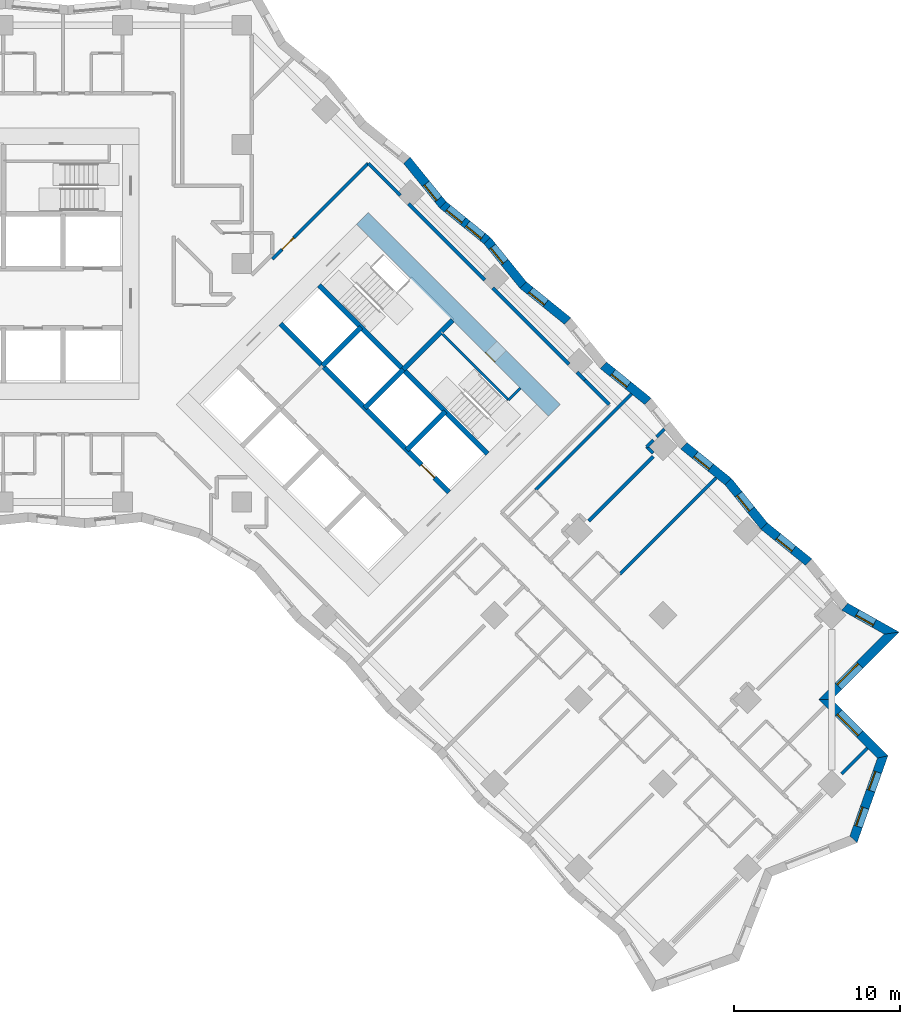
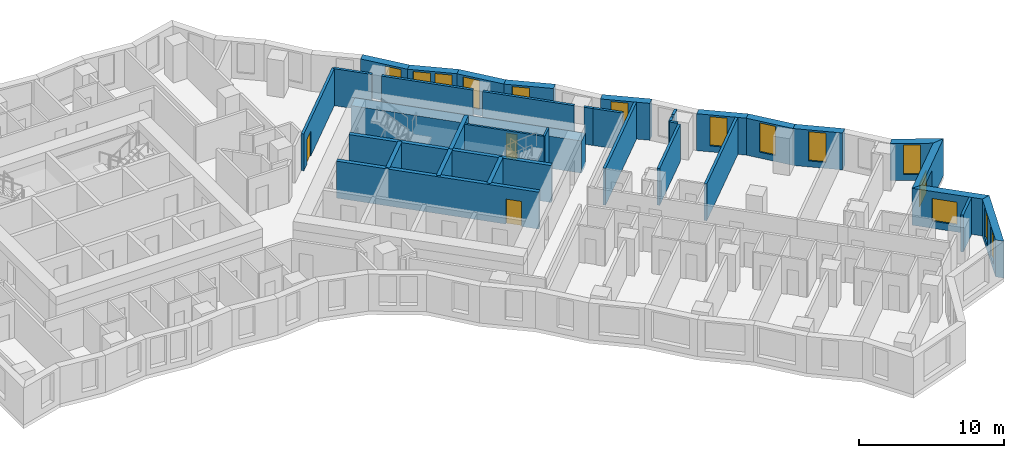
# One storey, part 10 of 13: 35 walls, 14 windows, 3 doors, 17 openings.
"""IFC4 building model written with IfcOpenShell, lengths in metres."""

from ifc_helpers import new_model, si_unit, direction, frame, frame_2d, origin, place, context, subcontext, project, spatial, polyline, rectangle, outline, extrude, material, layer, layer_set, type_object, element, fill, save


model = new_model("IFC4")

# Units and contexts
model_context = context("Model", 3, precision=1e-05, world=origin(), true_north=direction((0.0, 1.0)))
body_context = subcontext(model_context, "Body", "Model", "MODEL_VIEW")
ifc_project = project(units=[si_unit("LENGTHUNIT", "METRE"), si_unit("AREAUNIT", "SQUARE_METRE"), si_unit("VOLUMEUNIT", "CUBIC_METRE"), si_unit("PLANEANGLEUNIT", "RADIAN"), si_unit("MASSUNIT", "GRAM", prefix="KILO")], contexts=[model_context])

# Site, building, storey
site_placement = place(None, origin())
site = spatial("IfcSite", under=ifc_project, at=site_placement, CompositionType="ELEMENT")
building_placement = place(site_placement, origin())
building = spatial("IfcBuilding", under=site, at=building_placement, Name="Windrow Commons", CompositionType="ELEMENT")
storey_placement = place(building_placement, frame((0.0, 0.0, 33.8)))
storey = spatial("IfcBuildingStorey", under=building, at=storey_placement, Name="L08", CompositionType="ELEMENT", Elevation=33.8)

# Wall, openings, windows
ifc_material_1 = material(Name="Brick masonry, red clay brick", Category="masonry")
ifc_layer_1 = layer(ifc_material_1, 0.55)
ifc_layer_set_1 = layer_set([ifc_layer_1], Name="Brick facade wall 550")
wall_type_1 = type_object("IfcWallType", Name="Brick facade wall 550", PredefinedType="SOLIDWALL", material=ifc_layer_set_1)
wall_1_placement = place(storey_placement, frame((116.1481, 22.8256, 0.0), z_axis=(0.0, 0.0, 1.0), x_axis=(0.3344412968, 0.9424165846, 0.0)))
wall_1 = element("IfcWall", 1, at=wall_1_placement, inside=storey, type_object=wall_type_1, Name="Brick facade wall L08 4", PredefinedType="SOLIDWALL", context=body_context, shape_type="SweptSolid", body=[
    extrude(outline(polyline([(-0.1254, -0.275), (5.457, -0.275), (5.1098, 0.275), (0.1254, 0.275), (-0.1254, -0.275)])), origin(), (0.0, 0.0, 1.0), 3.1),
])
opening_1_placement = place(wall_1_placement, frame((0.8224, 0.0, 0.5)))
opening_1 = element("IfcOpeningElement", 2, at=opening_1_placement, cuts=wall_1, Name="Opening W7D", PredefinedType="OPENING", context=body_context, shape_type="SweptSolid", body=[
    extrude(rectangle(XDim=1.2, YDim=2.45, at=frame_2d((0.6, 1.225))), frame((0.0, 0.285, 0.0), z_axis=(0.0, -1.0, 0.0), x_axis=(1.0, 0.0, 0.0)), (0.0, 0.0, 1.0), 0.57),
])
opening_2_placement = place(wall_1_placement, frame((3.1146, 0.0, 0.5)))
opening_2 = element("IfcOpeningElement", 3, at=opening_2_placement, cuts=wall_1, Name="Opening W7D", PredefinedType="OPENING", context=body_context, shape_type="SweptSolid", body=[
    extrude(rectangle(XDim=1.2, YDim=2.45, at=frame_2d((0.6, 1.225))), frame((0.0, 0.285, 0.0), z_axis=(0.0, -1.0, 0.0), x_axis=(1.0, 0.0, 0.0)), (0.0, 0.0, 1.0), 0.57),
])
ifc_material_2 = material(Name="Clear float glass in anodised aluminium frame", Category="aluminium")
window_type_1 = type_object("IfcWindowType", Name="Window W7 notch 1200x2450", PartitioningType="SINGLE_PANEL", PredefinedType="WINDOW", material=ifc_material_2)
window_1_placement = place(opening_1_placement, origin())
window_1 = element("IfcWindow", 4, at=window_1_placement, inside=storey, type_object=window_type_1, Name="Window L08 4.1", OverallHeight=2.45, OverallWidth=1.2, PartitioningType="SINGLE_PANEL", PredefinedType="WINDOW", context=body_context, shape_type="SweptSolid", body=[
    extrude(rectangle(XDim=1.2, YDim=2.45, at=frame_2d((0.6, 1.225))), frame((0.0, 0.155, 0.0), z_axis=(0.0, -1.0, 0.0), x_axis=(1.0, 0.0, 0.0)), (0.0, 0.0, 1.0), 0.06),
])
fill(opening_1, window_1)
window_2_placement = place(opening_2_placement, origin())
window_2 = element("IfcWindow", 5, at=window_2_placement, inside=storey, type_object=window_type_1, Name="Window L08 4.2", OverallHeight=2.45, OverallWidth=1.2, PartitioningType="SINGLE_PANEL", PredefinedType="WINDOW", context=body_context, shape_type="SweptSolid", body=[
    extrude(rectangle(XDim=1.2, YDim=2.45, at=frame_2d((0.6, 1.225))), frame((0.0, 0.155, 0.0), z_axis=(0.0, -1.0, 0.0), x_axis=(1.0, 0.0, 0.0)), (0.0, 0.0, 1.0), 0.06),
])
fill(opening_2, window_2)

# Wall, opening, window
wall_2_placement = place(storey_placement, frame((117.9151, 27.8048, 0.0), z_axis=(0.0, 0.0, 1.0), x_axis=(-0.7071067812, 0.7071067812, 0.0)))
wall_2 = element("IfcWall", 6, at=wall_2_placement, inside=storey, type_object=wall_type_1, Name="Brick facade wall L08 5", PredefinedType="SOLIDWALL", context=body_context, shape_type="SweptSolid", body=[
    extrude(outline(polyline([(-0.1736, -0.275), (4.6263, -0.275), (5.1763, 0.275), (0.1736, 0.275), (-0.1736, -0.275)])), origin(), (0.0, 0.0, 1.0), 3.1),
])
opening_3_placement = place(wall_2_placement, frame((1.9639, 0.0, 0.6)))
opening_3 = element("IfcOpeningElement", 7, at=opening_3_placement, cuts=wall_2, Name="Opening W1L", PredefinedType="OPENING", context=body_context, shape_type="SweptSolid", body=[
    extrude(rectangle(XDim=1.8, YDim=1.9, at=frame_2d((0.9, 0.95))), frame((0.0, 0.285, 0.0), z_axis=(0.0, -1.0, 0.0), x_axis=(1.0, 0.0, 0.0)), (0.0, 0.0, 1.0), 0.57),
])
ifc_material_3 = material(Name="Clear float glass in anodised aluminium frame", Category="aluminium")
window_type_2 = type_object("IfcWindowType", Name="Window W1L bedroom 1800x1900", PartitioningType="SINGLE_PANEL", PredefinedType="WINDOW", material=ifc_material_3)
window_3_placement = place(opening_3_placement, origin())
window_3 = element("IfcWindow", 8, at=window_3_placement, inside=storey, type_object=window_type_2, Name="Window L08 5.1", OverallHeight=1.9, OverallWidth=1.8, PartitioningType="SINGLE_PANEL", PredefinedType="WINDOW", context=body_context, shape_type="SweptSolid", body=[
    extrude(rectangle(XDim=1.8, YDim=1.9, at=frame_2d((0.9, 0.95))), frame((0.0, 0.155, 0.0), z_axis=(0.0, -1.0, 0.0), x_axis=(1.0, 0.0, 0.0)), (0.0, 0.0, 1.0), 0.06),
])
fill(opening_3, window_3)

wall_3_placement = place(storey_placement, frame((114.4493, 31.2706, 0.0), z_axis=(0.0, 0.0, 1.0), x_axis=(0.7070979682, 0.7071155941, 0.0)))
wall_3 = element("IfcWall", 9, at=wall_3_placement, inside=storey, type_object=wall_type_1, Name="Brick facade wall L08 6", PredefinedType="SOLIDWALL", context=body_context, shape_type="SweptSolid", body=[
    extrude(outline(polyline([(0.275, -0.275), (6.036, -0.275), (5.3108, 0.275), (-0.275, 0.275), (0.275, -0.275)])), origin(), (0.0, 0.0, 1.0), 3.1),
])
opening_4_placement = place(wall_3_placement, frame((1.1375, 0.0, 0.6)))
opening_4 = element("IfcOpeningElement", 10, at=opening_4_placement, cuts=wall_3, Name="Opening W1L", PredefinedType="OPENING", context=body_context, shape_type="SweptSolid", body=[
    extrude(rectangle(XDim=1.8, YDim=1.9, at=frame_2d((0.9, 0.95))), frame((0.0, 0.285, 0.0), z_axis=(0.0, -1.0, 0.0), x_axis=(1.0, 0.0, 0.0)), (0.0, 0.0, 1.0), 0.57),
])
window_4_placement = place(opening_4_placement, origin())
window_4 = element("IfcWindow", 11, at=window_4_placement, inside=storey, type_object=window_type_2, Name="Window L08 6.1", OverallHeight=1.9, OverallWidth=1.8, PartitioningType="SINGLE_PANEL", PredefinedType="WINDOW", context=body_context, shape_type="SweptSolid", body=[
    extrude(rectangle(XDim=1.8, YDim=1.9, at=frame_2d((0.9, 0.95))), frame((0.0, 0.155, 0.0), z_axis=(0.0, -1.0, 0.0), x_axis=(1.0, 0.0, 0.0)), (0.0, 0.0, 1.0), 0.06),
])
fill(opening_4, window_4)

wall_4_placement = place(storey_placement, frame((118.461, 35.2824, 0.0), z_axis=(0.0, 0.0, 1.0), x_axis=(-0.8716297162, 0.4901649088, 0.0)))
wall_4 = element("IfcWall", 12, at=wall_4_placement, inside=storey, type_object=wall_type_1, Name="Brick facade wall L08 7", PredefinedType="SOLIDWALL", context=body_context, shape_type="SweptSolid", body=[
    extrude(outline(polyline([(-0.3626, -0.275), (3.2004, -0.275), (3.3056, 0.275), (0.3626, 0.275), (-0.3626, -0.275)])), origin(), (0.0, 0.0, 1.0), 3.1),
])
opening_5_placement = place(wall_4_placement, frame((1.2078, 0.0, 0.5)))
opening_5 = element("IfcOpeningElement", 13, at=opening_5_placement, cuts=wall_4, Name="Opening W7D", PredefinedType="OPENING", context=body_context, shape_type="SweptSolid", body=[
    extrude(rectangle(XDim=1.2, YDim=2.45, at=frame_2d((0.6, 1.225))), frame((0.0, 0.285, 0.0), z_axis=(0.0, -1.0, 0.0), x_axis=(1.0, 0.0, 0.0)), (0.0, 0.0, 1.0), 0.57),
])
window_5_placement = place(opening_5_placement, origin())
window_5 = element("IfcWindow", 14, at=window_5_placement, inside=storey, type_object=window_type_1, Name="Window L08 7.1", OverallHeight=2.45, OverallWidth=1.2, PartitioningType="SINGLE_PANEL", PredefinedType="WINDOW", context=body_context, shape_type="SweptSolid", body=[
    extrude(rectangle(XDim=1.2, YDim=2.45, at=frame_2d((0.6, 1.225))), frame((0.0, 0.155, 0.0), z_axis=(0.0, -1.0, 0.0), x_axis=(1.0, 0.0, 0.0)), (0.0, 0.0, 1.0), 0.06),
])
fill(opening_5, window_5)

wall_5_placement = place(storey_placement, frame((113.4399, 39.5766, 0.0), z_axis=(0.0, 0.0, 1.0), x_axis=(-0.7772131435, 0.6292374191, 0.0)))
wall_5 = element("IfcWall", 15, at=wall_5_placement, inside=storey, type_object=wall_type_1, Name="Brick facade wall L08 9", PredefinedType="SOLIDWALL", context=body_context, shape_type="SweptSolid", body=[
    extrude(outline(polyline([(-0.0289, -0.275), (3.4209, -0.275), (3.4788, 0.275), (0.0289, 0.275), (-0.0289, -0.275)])), origin(), (0.0, 0.0, 1.0), 3.1),
])
opening_6_placement = place(wall_5_placement, frame((1.1949, 0.0, 0.5)))
opening_6 = element("IfcOpeningElement", 16, at=opening_6_placement, cuts=wall_5, Name="Opening W7D", PredefinedType="OPENING", context=body_context, shape_type="SweptSolid", body=[
    extrude(rectangle(XDim=1.2, YDim=2.45, at=frame_2d((0.6, 1.225))), frame((0.0, 0.285, 0.0), z_axis=(0.0, -1.0, 0.0), x_axis=(1.0, 0.0, 0.0)), (0.0, 0.0, 1.0), 0.57),
])
window_6_placement = place(opening_6_placement, origin())
window_6 = element("IfcWindow", 17, at=window_6_placement, inside=storey, type_object=window_type_1, Name="Window L08 9.1", OverallHeight=2.45, OverallWidth=1.2, PartitioningType="SINGLE_PANEL", PredefinedType="WINDOW", context=body_context, shape_type="SweptSolid", body=[
    extrude(rectangle(XDim=1.2, YDim=2.45, at=frame_2d((0.6, 1.225))), frame((0.0, 0.155, 0.0), z_axis=(0.0, -1.0, 0.0), x_axis=(1.0, 0.0, 0.0)), (0.0, 0.0, 1.0), 0.06),
])
fill(opening_6, window_6)

wall_6_placement = place(storey_placement, frame((110.7586, 41.7474, 0.0), z_axis=(0.0, 0.0, 1.0), x_axis=(-0.6292199091, 0.7772273194, 0.0)))
wall_6 = element("IfcWall", 18, at=wall_6_placement, inside=storey, type_object=wall_type_1, Name="Brick facade wall L08 10", PredefinedType="SOLIDWALL", context=body_context, shape_type="SweptSolid", body=[
    extrude(outline(polyline([(0.0289, -0.275), (3.4788, -0.275), (3.4209, 0.275), (-0.0289, 0.275), (0.0289, -0.275)])), origin(), (0.0, 0.0, 1.0), 3.1),
])
opening_7_placement = place(wall_6_placement, frame((1.2654, 0.0, 0.5)))
opening_7 = element("IfcOpeningElement", 19, at=opening_7_placement, cuts=wall_6, Name="Opening W7D", PredefinedType="OPENING", context=body_context, shape_type="SweptSolid", body=[
    extrude(rectangle(XDim=1.2, YDim=2.45, at=frame_2d((0.6, 1.225))), frame((0.0, 0.285, 0.0), z_axis=(0.0, -1.0, 0.0), x_axis=(1.0, 0.0, 0.0)), (0.0, 0.0, 1.0), 0.57),
])
window_7_placement = place(opening_7_placement, origin())
window_7 = element("IfcWindow", 20, at=window_7_placement, inside=storey, type_object=window_type_1, Name="Window L08 10.1", OverallHeight=2.45, OverallWidth=1.2, PartitioningType="SINGLE_PANEL", PredefinedType="WINDOW", context=body_context, shape_type="SweptSolid", body=[
    extrude(rectangle(XDim=1.2, YDim=2.45, at=frame_2d((0.6, 1.225))), frame((0.0, 0.155, 0.0), z_axis=(0.0, -1.0, 0.0), x_axis=(1.0, 0.0, 0.0)), (0.0, 0.0, 1.0), 0.06),
])
fill(opening_7, window_7)

wall_7_placement = place(storey_placement, frame((108.5879, 44.4287, 0.0), z_axis=(0.0, 0.0, 1.0), x_axis=(-0.7772131435, 0.6292374191, 0.0)))
wall_7 = element("IfcWall", 21, at=wall_7_placement, inside=storey, type_object=wall_type_1, Name="Brick facade wall L08 11", PredefinedType="SOLIDWALL", context=body_context, shape_type="SweptSolid", body=[
    extrude(outline(polyline([(-0.0289, -0.275), (3.4209, -0.275), (3.4788, 0.275), (0.0289, 0.275), (-0.0289, -0.275)])), origin(), (0.0, 0.0, 1.0), 3.1),
])
opening_8_placement = place(wall_7_placement, frame((1.3649, 0.0, 0.5)))
opening_8 = element("IfcOpeningElement", 22, at=opening_8_placement, cuts=wall_7, Name="Opening W7D", PredefinedType="OPENING", context=body_context, shape_type="SweptSolid", body=[
    extrude(rectangle(XDim=1.2, YDim=2.45, at=frame_2d((0.6, 1.225))), frame((0.0, 0.285, 0.0), z_axis=(0.0, -1.0, 0.0), x_axis=(1.0, 0.0, 0.0)), (0.0, 0.0, 1.0), 0.57),
])
window_8_placement = place(opening_8_placement, origin())
window_8 = element("IfcWindow", 23, at=window_8_placement, inside=storey, type_object=window_type_1, Name="Window L08 11.1", OverallHeight=2.45, OverallWidth=1.2, PartitioningType="SINGLE_PANEL", PredefinedType="WINDOW", context=body_context, shape_type="SweptSolid", body=[
    extrude(rectangle(XDim=1.2, YDim=2.45, at=frame_2d((0.6, 1.225))), frame((0.0, 0.155, 0.0), z_axis=(0.0, -1.0, 0.0), x_axis=(1.0, 0.0, 0.0)), (0.0, 0.0, 1.0), 0.06),
])
fill(opening_8, window_8)

wall_8_placement = place(storey_placement, frame((103.7358, 49.2808, 0.0), z_axis=(0.0, 0.0, 1.0), x_axis=(-0.7772131435, 0.6292374191, 0.0)))
wall_8 = element("IfcWall", 24, at=wall_8_placement, inside=storey, type_object=wall_type_1, Name="Brick facade wall L08 13", PredefinedType="SOLIDWALL", context=body_context, shape_type="SweptSolid", body=[
    extrude(outline(polyline([(-0.0289, -0.275), (3.4209, -0.275), (3.4788, 0.275), (0.0289, 0.275), (-0.0289, -0.275)])), origin(), (0.0, 0.0, 1.0), 3.1),
])
opening_9_placement = place(wall_8_placement, frame((1.5349, 0.0, 0.5)))
opening_9 = element("IfcOpeningElement", 25, at=opening_9_placement, cuts=wall_8, Name="Opening W7D", PredefinedType="OPENING", context=body_context, shape_type="SweptSolid", body=[
    extrude(rectangle(XDim=1.2, YDim=2.45, at=frame_2d((0.6, 1.225))), frame((0.0, 0.285, 0.0), z_axis=(0.0, -1.0, 0.0), x_axis=(1.0, 0.0, 0.0)), (0.0, 0.0, 1.0), 0.57),
])
window_9_placement = place(opening_9_placement, origin())
window_9 = element("IfcWindow", 26, at=window_9_placement, inside=storey, type_object=window_type_1, Name="Window L08 13.1", OverallHeight=2.45, OverallWidth=1.2, PartitioningType="SINGLE_PANEL", PredefinedType="WINDOW", context=body_context, shape_type="SweptSolid", body=[
    extrude(rectangle(XDim=1.2, YDim=2.45, at=frame_2d((0.6, 1.225))), frame((0.0, 0.155, 0.0), z_axis=(0.0, -1.0, 0.0), x_axis=(1.0, 0.0, 0.0)), (0.0, 0.0, 1.0), 0.06),
])
fill(opening_9, window_9)

wall_9_placement = place(storey_placement, frame((98.8837, 54.1329, 0.0), z_axis=(0.0, 0.0, 1.0), x_axis=(-0.7772131435, 0.6292374191, 0.0)))
wall_9 = element("IfcWall", 27, at=wall_9_placement, inside=storey, type_object=wall_type_1, Name="Brick facade wall L08 15", PredefinedType="SOLIDWALL", context=body_context, shape_type="SweptSolid", body=[
    extrude(outline(polyline([(-0.0289, -0.275), (3.4209, -0.275), (3.4788, 0.275), (0.0289, 0.275), (-0.0289, -0.275)])), origin(), (0.0, 0.0, 1.0), 3.1),
])
opening_10_placement = place(wall_9_placement, frame((1.7049, 0.0, 0.5)))
opening_10 = element("IfcOpeningElement", 28, at=opening_10_placement, cuts=wall_9, Name="Opening W7D", PredefinedType="OPENING", context=body_context, shape_type="SweptSolid", body=[
    extrude(rectangle(XDim=1.2, YDim=2.45, at=frame_2d((0.6, 1.225))), frame((0.0, 0.285, 0.0), z_axis=(0.0, -1.0, 0.0), x_axis=(1.0, 0.0, 0.0)), (0.0, 0.0, 1.0), 0.57),
])
window_10_placement = place(opening_10_placement, origin())
window_10 = element("IfcWindow", 29, at=window_10_placement, inside=storey, type_object=window_type_1, Name="Window L08 15.1", OverallHeight=2.45, OverallWidth=1.2, PartitioningType="SINGLE_PANEL", PredefinedType="WINDOW", context=body_context, shape_type="SweptSolid", body=[
    extrude(rectangle(XDim=1.2, YDim=2.45, at=frame_2d((0.6, 1.225))), frame((0.0, 0.155, 0.0), z_axis=(0.0, -1.0, 0.0), x_axis=(1.0, 0.0, 0.0)), (0.0, 0.0, 1.0), 0.06),
])
fill(opening_10, window_10)

wall_10_placement = place(storey_placement, frame((96.2024, 56.3037, 0.0), z_axis=(0.0, 0.0, 1.0), x_axis=(-0.6292374191, 0.7772131435, 0.0)))
wall_10 = element("IfcWall", 30, at=wall_10_placement, inside=storey, type_object=wall_type_1, Name="Brick facade wall L08 16", PredefinedType="SOLIDWALL", context=body_context, shape_type="SweptSolid", body=[
    extrude(outline(polyline([(0.0289, -0.275), (3.4788, -0.275), (3.4209, 0.275), (-0.0289, 0.275), (0.0289, -0.275)])), origin(), (0.0, 0.0, 1.0), 3.1),
])
opening_11_placement = place(wall_10_placement, frame((1.7754, 0.0, 0.5)))
opening_11 = element("IfcOpeningElement", 31, at=opening_11_placement, cuts=wall_10, Name="Opening W7D", PredefinedType="OPENING", context=body_context, shape_type="SweptSolid", body=[
    extrude(rectangle(XDim=1.2, YDim=2.45, at=frame_2d((0.6, 1.225))), frame((0.0, 0.285, 0.0), z_axis=(0.0, -1.0, 0.0), x_axis=(1.0, 0.0, 0.0)), (0.0, 0.0, 1.0), 0.57),
])
window_11_placement = place(opening_11_placement, origin())
window_11 = element("IfcWindow", 32, at=window_11_placement, inside=storey, type_object=window_type_1, Name="Window L08 16.1", OverallHeight=2.45, OverallWidth=1.2, PartitioningType="SINGLE_PANEL", PredefinedType="WINDOW", context=body_context, shape_type="SweptSolid", body=[
    extrude(rectangle(XDim=1.2, YDim=2.45, at=frame_2d((0.6, 1.225))), frame((0.0, 0.155, 0.0), z_axis=(0.0, -1.0, 0.0), x_axis=(1.0, 0.0, 0.0)), (0.0, 0.0, 1.0), 0.06),
])
fill(opening_11, window_11)

# Wall, openings, windows
wall_11_placement = place(storey_placement, frame((94.0316, 58.985, 0.0), z_axis=(0.0, 0.0, 1.0), x_axis=(-0.7772273194, 0.6292199091, 0.0)))
wall_11 = element("IfcWall", 33, at=wall_11_placement, inside=storey, type_object=wall_type_1, Name="Brick facade wall L08 17", PredefinedType="SOLIDWALL", context=body_context, shape_type="SweptSolid", body=[
    extrude(outline(polyline([(-0.0289, -0.275), (3.4209, -0.275), (3.4788, 0.275), (0.0289, 0.275), (-0.0289, -0.275)])), origin(), (0.0, 0.0, 1.0), 3.1),
])
opening_12_placement = place(wall_11_placement, frame((0.3644, 0.0, 0.5)))
opening_12 = element("IfcOpeningElement", 34, at=opening_12_placement, cuts=wall_11, Name="Opening W7D", PredefinedType="OPENING", context=body_context, shape_type="SweptSolid", body=[
    extrude(rectangle(XDim=1.2, YDim=2.45, at=frame_2d((0.6, 1.225))), frame((0.0, 0.285, 0.0), z_axis=(0.0, -1.0, 0.0), x_axis=(1.0, 0.0, 0.0)), (0.0, 0.0, 1.0), 0.57),
])
opening_13_placement = place(wall_11_placement, frame((1.8749, 0.0, 0.5)))
opening_13 = element("IfcOpeningElement", 35, at=opening_13_placement, cuts=wall_11, Name="Opening W7D", PredefinedType="OPENING", context=body_context, shape_type="SweptSolid", body=[
    extrude(rectangle(XDim=1.2, YDim=2.45, at=frame_2d((0.6, 1.225))), frame((0.0, 0.285, 0.0), z_axis=(0.0, -1.0, 0.0), x_axis=(1.0, 0.0, 0.0)), (0.0, 0.0, 1.0), 0.57),
])
window_12_placement = place(opening_12_placement, origin())
window_12 = element("IfcWindow", 36, at=window_12_placement, inside=storey, type_object=window_type_1, Name="Window L08 17.1", OverallHeight=2.45, OverallWidth=1.2, PartitioningType="SINGLE_PANEL", PredefinedType="WINDOW", context=body_context, shape_type="SweptSolid", body=[
    extrude(rectangle(XDim=1.2, YDim=2.45, at=frame_2d((0.6, 1.225))), frame((0.0, 0.155, 0.0), z_axis=(0.0, -1.0, 0.0), x_axis=(1.0, 0.0, 0.0)), (0.0, 0.0, 1.0), 0.06),
])
fill(opening_12, window_12)
window_13_placement = place(opening_13_placement, origin())
window_13 = element("IfcWindow", 37, at=window_13_placement, inside=storey, type_object=window_type_1, Name="Window L08 17.2", OverallHeight=2.45, OverallWidth=1.2, PartitioningType="SINGLE_PANEL", PredefinedType="WINDOW", context=body_context, shape_type="SweptSolid", body=[
    extrude(rectangle(XDim=1.2, YDim=2.45, at=frame_2d((0.6, 1.225))), frame((0.0, 0.155, 0.0), z_axis=(0.0, -1.0, 0.0), x_axis=(1.0, 0.0, 0.0)), (0.0, 0.0, 1.0), 0.06),
])
fill(opening_13, window_13)

# Wall, opening, window
wall_12_placement = place(storey_placement, frame((91.3503, 61.1557, 0.0), z_axis=(0.0, 0.0, 1.0), x_axis=(-0.6292374191, 0.7772131435, 0.0)))
wall_12 = element("IfcWall", 38, at=wall_12_placement, inside=storey, type_object=wall_type_1, Name="Brick facade wall L08 18", PredefinedType="SOLIDWALL", context=body_context, shape_type="SweptSolid", body=[
    extrude(outline(polyline([(0.0289, -0.275), (3.4788, -0.275), (3.4209, 0.275), (-0.0289, 0.275), (0.0289, -0.275)])), origin(), (0.0, 0.0, 1.0), 3.1),
])
opening_14_placement = place(wall_12_placement, frame((0.4349, 0.0, 0.5)))
opening_14 = element("IfcOpeningElement", 39, at=opening_14_placement, cuts=wall_12, Name="Opening W7D", PredefinedType="OPENING", context=body_context, shape_type="SweptSolid", body=[
    extrude(rectangle(XDim=1.2, YDim=2.45, at=frame_2d((0.6, 1.225))), frame((0.0, 0.285, 0.0), z_axis=(0.0, -1.0, 0.0), x_axis=(1.0, 0.0, 0.0)), (0.0, 0.0, 1.0), 0.57),
])
window_14_placement = place(opening_14_placement, origin())
window_14 = element("IfcWindow", 40, at=window_14_placement, inside=storey, type_object=window_type_1, Name="Window L08 18.1", OverallHeight=2.45, OverallWidth=1.2, PartitioningType="SINGLE_PANEL", PredefinedType="WINDOW", context=body_context, shape_type="SweptSolid", body=[
    extrude(rectangle(XDim=1.2, YDim=2.45, at=frame_2d((0.6, 1.225))), frame((0.0, 0.155, 0.0), z_axis=(0.0, -1.0, 0.0), x_axis=(1.0, 0.0, 0.0)), (0.0, 0.0, 1.0), 0.06),
])
fill(opening_14, window_14)

# Wall, opening, door
ifc_material_4 = material(Name="Blockwork partition", Category="masonry")
ifc_layer_2 = layer(ifc_material_4, 0.2)
ifc_layer_set_2 = layer_set([ifc_layer_2], Name="IW-CORRIDOR-200")
wall_type_2 = type_object("IfcWallType", Name="IW-CORRIDOR-200", PredefinedType="PARTITIONING", material=ifc_layer_set_2)
wall_13_placement = place(storey_placement, frame((81.0515, 57.8725, 0.0), z_axis=(0.0, 0.0, 1.0), x_axis=(0.7071067812, 0.7071067812, 0.0)))
wall_13 = element("IfcWall", 41, at=wall_13_placement, inside=storey, type_object=wall_type_2, Name="W-L08-W013", PredefinedType="PARTITIONING", context=body_context, shape_type="SweptSolid", body=[
    extrude(rectangle(XDim=8.1798, YDim=0.2, at=frame_2d((4.0899, 0.0))), origin(), (0.0, 0.0, 1.0), 3.1),
])
opening_15_placement = place(wall_13_placement, frame((0.8234, 0.0, 0.0)))
opening_15 = element("IfcOpeningElement", 42, at=opening_15_placement, cuts=wall_13, Name="Opening D310F", PredefinedType="OPENING", context=body_context, shape_type="SweptSolid", body=[
    extrude(rectangle(XDim=1.0, YDim=2.1, at=frame_2d((0.5, 1.05))), frame((0.0, 0.11, 0.0), z_axis=(0.0, -1.0, 0.0), x_axis=(1.0, 0.0, 0.0)), (0.0, 0.0, 1.0), 0.22),
])
ifc_material_5 = material(Name="Timber door leaf", Category="wood")
door_type_1 = type_object("IfcDoorType", Name="DT-AMENITY-1000", OperationType="SINGLE_SWING_LEFT", PredefinedType="DOOR", material=ifc_material_5)
door_1_placement = place(opening_15_placement, origin())
door_1 = element("IfcDoor", 43, at=door_1_placement, inside=storey, type_object=door_type_1, Name="D-L08-D049", OperationType="SINGLE_SWING_RIGHT", OverallHeight=2.1, OverallWidth=1.0, PredefinedType="DOOR", context=body_context, shape_type="SweptSolid", body=[
    extrude(rectangle(XDim=1.0, YDim=2.1, at=frame_2d((0.5, 1.05))), frame((0.0, 0.025, 0.0), z_axis=(0.0, -1.0, 0.0), x_axis=(1.0, 0.0, 0.0)), (0.0, 0.0, 1.0), 0.05),
])
fill(opening_15, door_1)

# Walls
wall_14_placement = place(storey_placement, frame((89.2712, 61.2152, 0.0), z_axis=(0.0, 0.0, 1.0), x_axis=(0.7071067812, -0.7071067812, 0.0)))
element("IfcWall", 44, at=wall_14_placement, inside=storey, type_object=wall_type_2, Name="W-L08-W025", PredefinedType="PARTITIONING", context=body_context, shape_type="SweptSolid", body=[
    extrude(rectangle(XDim=6.5054, YDim=0.2, at=frame_2d((3.2527, 0.0))), origin(), (0.0, 0.0, 1.0), 3.1),
])
wall_15_placement = place(storey_placement, frame((94.3632, 56.1232, 0.0), z_axis=(0.0, 0.0, 1.0), x_axis=(0.7071067812, -0.7071067812, 0.0)))
element("IfcWall", 45, at=wall_15_placement, inside=storey, type_object=wall_type_2, Name="W-L08-W026", PredefinedType="PARTITIONING", context=body_context, shape_type="SweptSolid", body=[
    extrude(rectangle(XDim=6.5026, YDim=0.2, at=frame_2d((3.2513, 0.0))), origin(), (0.0, 0.0, 1.0), 3.1),
])
wall_16_placement = place(storey_placement, frame((86.8413, 63.6593, 0.0), z_axis=(0.0, 0.0, 1.0), x_axis=(0.7067795096, -0.7074339014, 0.0)))
element("IfcWall", 46, at=wall_16_placement, inside=storey, type_object=wall_type_2, Name="W-L08-W072", PredefinedType="PARTITIONING", context=body_context, shape_type="SweptSolid", body=[
    extrude(rectangle(XDim=2.7506, YDim=0.2, at=frame_2d((1.3753, 0.0))), origin(), (0.0, 0.0, 1.0), 3.1),
])
wall_17_placement = place(storey_placement, frame((99.9177, 50.5737, 0.0), z_axis=(0.0, 0.0, 1.0), x_axis=(0.7075827869, -0.7066304548, 0.0)))
element("IfcWall", 47, at=wall_17_placement, inside=storey, type_object=wall_type_2, Name="W-L08-W132", PredefinedType="PARTITIONING", context=body_context, shape_type="SweptSolid", body=[
    extrude(rectangle(XDim=2.1001, YDim=0.2, at=frame_2d((1.05, 0.0))), origin(), (0.0, 0.0, 1.0), 3.1),
])
wall_18_placement = place(storey_placement, frame((99.4532, 51.0332, 0.0), z_axis=(0.0, 0.0, 1.0), x_axis=(0.7071067812, -0.7071067812, 0.0)))
element("IfcWall", 48, at=wall_18_placement, inside=storey, type_object=wall_type_2, Name="W-L08-W194", PredefinedType="PARTITIONING", context=body_context, shape_type="SweptSolid", body=[
    extrude(rectangle(XDim=0.6534, YDim=0.2, at=frame_2d((0.3267, 0.0))), origin(), (0.0, 0.0, 1.0), 3.1),
])
ifc_material_6 = material(Name="Blockwork partition", Category="masonry")
ifc_layer_3 = layer(ifc_material_6, 0.2)
ifc_layer_set_3 = layer_set([ifc_layer_3], Name="IW-PARTY-200")
wall_type_3 = type_object("IfcWallType", Name="IW-PARTY-200", PredefinedType="PARTITIONING", material=ifc_layer_set_3)
wall_19_placement = place(storey_placement, frame((102.0386, 38.8374, 0.0), z_axis=(0.0, 0.0, 1.0), x_axis=(0.7071067812, 0.7071067812, 0.0)))
element("IfcWall", 49, at=wall_19_placement, inside=storey, type_object=wall_type_3, Name="W-L08-W012", PredefinedType="PARTITIONING", context=body_context, shape_type="SweptSolid", body=[
    extrude(rectangle(XDim=8.2369, YDim=0.2, at=frame_2d((4.1185, 0.0))), origin(), (0.0, 0.0, 1.0), 3.1),
])
wall_20_placement = place(storey_placement, frame((96.9474, 43.9286, 0.0), z_axis=(0.0, 0.0, 1.0), x_axis=(0.7071067812, 0.7071067812, 0.0)))
element("IfcWall", 50, at=wall_20_placement, inside=storey, type_object=wall_type_3, Name="W-L08-W014", PredefinedType="PARTITIONING", context=body_context, shape_type="SweptSolid", body=[
    extrude(rectangle(XDim=8.2013, YDim=0.2, at=frame_2d((4.1006, 0.0))), origin(), (0.0, 0.0, 1.0), 3.1),
])
wall_21_placement = place(storey_placement, frame((100.1611, 42.0569, 0.0), z_axis=(0.0, 0.0, 1.0), x_axis=(0.7072884866, 0.706925029, 0.0)))
element("IfcWall", 51, at=wall_21_placement, inside=storey, type_object=wall_type_3, Name="W-L08-W045", PredefinedType="PARTITIONING", context=body_context, shape_type="SweptSolid", body=[
    extrude(rectangle(XDim=5.5027, YDim=0.2, at=frame_2d((2.7513, 0.0))), origin(), (0.0, 0.0, 1.0), 3.1),
])
wall_22_placement = place(storey_placement, frame((115.4375, 26.7805, 0.0), z_axis=(0.0, 0.0, 1.0), x_axis=(0.7071067812, 0.7071067812, 0.0)))
element("IfcWall", 52, at=wall_22_placement, inside=storey, type_object=wall_type_3, Name="W-L08-W131", PredefinedType="PARTITIONING", context=body_context, shape_type="SweptSolid", body=[
    extrude(rectangle(XDim=2.2012, YDim=0.2, at=frame_2d((1.1006, 0.0))), origin(), (0.0, 0.0, 1.0), 3.1),
])
wall_23_placement = place(storey_placement, frame((104.265, 47.145, 0.0), z_axis=(0.0, 0.0, 1.0), x_axis=(0.7071823954, 0.7070311588, 0.0)))
element("IfcWall", 53, at=wall_23_placement, inside=storey, type_object=wall_type_3, Name="W-L08-W195", PredefinedType="PARTITIONING", context=body_context, shape_type="SweptSolid", body=[
    extrude(rectangle(XDim=0.6612, YDim=0.2, at=frame_2d((0.3306, 0.0))), origin(), (0.0, 0.0, 1.0), 3.1),
])
wall_24_placement = place(storey_placement, frame((103.661, 46.541, 0.0), z_axis=(0.0, 0.0, 1.0), x_axis=(0.7071067812, 0.7071067812, 0.0)))
element("IfcWall", 54, at=wall_24_placement, inside=storey, type_object=wall_type_3, Name="W-L08-W201", PredefinedType="PARTITIONING", context=body_context, shape_type="SweptSolid", body=[
    extrude(rectangle(XDim=0.5572, YDim=0.2, at=frame_2d((0.2786, 0.0))), origin(), (0.0, 0.0, 1.0), 3.1),
])
wall_25_placement = place(storey_placement, frame((103.665, 46.543, 0.0), z_axis=(0.0, 0.0, 1.0), x_axis=(0.7089037401, -0.705305244, 0.0)))
element("IfcWall", 55, at=wall_25_placement, inside=storey, type_object=wall_type_3, Name="W-L08-W204", PredefinedType="PARTITIONING", context=body_context, shape_type="SweptSolid", body=[
    extrude(rectangle(XDim=0.5558, YDim=0.2, at=frame_2d((0.2779, 0.0))), origin(), (0.0, 0.0, 1.0), 3.1),
])

# Wall, opening, door
ifc_material_7 = material(Name="Concrete C60/75", Category="concrete")
ifc_layer_4 = layer(ifc_material_7, 1.0)
ifc_layer_set_4 = layer_set([ifc_layer_4], Name="RC CORE WALL 1000 C60/75")
wall_type_4 = type_object("IfcWallType", Name="RC CORE WALL 1000 C60/75", PredefinedType="SHEAR", material=ifc_layer_set_4)
wall_26_placement = place(storey_placement, frame((86.4832, 60.3327, -0.3), z_axis=(0.0, 0.0, 1.0), x_axis=(0.70710983, -0.7071037324, 0.0)))
wall_26 = element("IfcWall", 56, at=wall_26_placement, inside=storey, type_object=wall_type_4, Name="Core B wall outer-N", PredefinedType="SHEAR", context=body_context, shape_type="SweptSolid", body=[
    extrude(rectangle(XDim=16.4, YDim=1.0, at=frame_2d((8.2, 0.0))), origin(), (0.0, 0.0, 1.0), 2.7),
])
opening_16_placement = place(wall_26_placement, frame((11.0, 0.0, 0.3)))
opening_16 = element("IfcOpeningElement", 57, at=opening_16_placement, cuts=wall_26, Name="Opening D9", PredefinedType="OPENING", context=body_context, shape_type="SweptSolid", body=[
    extrude(rectangle(XDim=0.8, YDim=2.1, at=frame_2d((0.4, 1.05))), frame((0.0, 0.51, 0.0), z_axis=(0.0, -1.0, 0.0), x_axis=(1.0, 0.0, 0.0)), (0.0, 0.0, 1.0), 1.02),
])
ifc_material_8 = material(Name="Steel fire door leaf", Category="steel")
door_type_2 = type_object("IfcDoorType", Name="Riser access door 800", OperationType="SINGLE_SWING_LEFT", PredefinedType="DOOR", material=ifc_material_8)
door_2_placement = place(opening_16_placement, origin())
door_2 = element("IfcDoor", 58, at=door_2_placement, inside=storey, type_object=door_type_2, Name="Riser access door", OperationType="SINGLE_SWING_RIGHT", OverallHeight=2.1, OverallWidth=0.8, PredefinedType="DOOR", context=body_context, shape_type="SweptSolid", body=[
    extrude(rectangle(XDim=0.8, YDim=2.1, at=frame_2d((0.4, 1.05))), frame((0.0, -0.44, 0.0), z_axis=(0.0, -1.0, 0.0), x_axis=(1.0, 0.0, 0.0)), (0.0, 0.0, 1.0), 0.05),
])
fill(opening_16, door_2)

# Walls
ifc_material_9 = material(Name="Concrete C60/75", Category="concrete")
ifc_layer_5 = layer(ifc_material_9, 0.3)
ifc_layer_set_5 = layer_set([ifc_layer_5], Name="RC SHAFT WALL 300 C60/75")
wall_type_5 = type_object("IfcWallType", Name="RC SHAFT WALL 300 C60/75", PredefinedType="SOLIDWALL", material=ifc_layer_set_5)
wall_27_placement = place(storey_placement, frame((84.079, 51.4232, 0.0), z_axis=(0.0, 0.0, 1.0), x_axis=(0.7071219326, 0.7070916295, 0.0)))
element("IfcWall", 59, at=wall_27_placement, inside=storey, type_object=wall_type_5, Name="Core B wall shaft-N1", PredefinedType="SOLIDWALL", context=body_context, shape_type="SweptSolid", body=[
    extrude(rectangle(XDim=3.3, YDim=0.3, at=frame_2d((1.65, 0.0))), origin(), (0.0, 0.0, 1.0), 3.1),
])
for number, where, z_axis, x_axis, name in (
    (60, (86.6246, 48.8776, 0.0), (0.0, 0.0, 1.0), (0.7071067812, 0.7071067812, 0.0), "Core B wall shaft-N2"),
    (61, (89.1702, 46.332, 0.0), (0.0, 0.0, 1.0), (0.7071067812, 0.7071067812, 0.0), "Core B wall shaft-N3"),
):
    element("IfcWall", number, at=place(storey_placement, frame(where, z_axis=z_axis, x_axis=x_axis)), inside=storey, type_object=wall_type_5, Name=name, PredefinedType="SOLIDWALL", context=body_context, shape_type="SweptSolid", body=[
        extrude(rectangle(XDim=3.3001, YDim=0.3, at=frame_2d((1.6501, 0.0))), origin(), (0.0, 0.0, 1.0), 3.1),
    ])

# Wall, opening, door
wall_28_placement = place(storey_placement, frame((81.5335, 53.9688, 0.0), z_axis=(0.0, 0.0, 1.0), x_axis=(0.707103309, -0.7071102534, 0.0)))
wall_28 = element("IfcWall", 62, at=wall_28_placement, inside=storey, type_object=wall_type_5, Name="Core B wall lobby-N", PredefinedType="SOLIDWALL", context=body_context, shape_type="SweptSolid", body=[
    extrude(rectangle(XDim=14.4, YDim=0.3, at=frame_2d((7.2, 0.0))), origin(), (0.0, 0.0, 1.0), 3.1),
])
opening_17_placement = place(wall_28_placement, frame((12.05, 0.0, 0.0)))
opening_17 = element("IfcOpeningElement", 63, at=opening_17_placement, cuts=wall_28, Name="Opening LD", PredefinedType="OPENING", context=body_context, shape_type="SweptSolid", body=[
    extrude(rectangle(XDim=1.1, YDim=2.1, at=frame_2d((0.55, 1.05))), frame((0.0, 0.16, 0.0), z_axis=(0.0, -1.0, 0.0), x_axis=(1.0, 0.0, 0.0)), (0.0, 0.0, 1.0), 0.32),
])
ifc_material_10 = material(Name="Stainless steel door leaf", Category="steel")
door_type_3 = type_object("IfcDoorType", Name="Lift landing door 1100", OperationType="SLIDING_TO_LEFT", PredefinedType="DOOR", material=ifc_material_10)
door_3_placement = place(opening_17_placement, origin())
door_3 = element("IfcDoor", 64, at=door_3_placement, inside=storey, type_object=door_type_3, Name="Lift landing door", OperationType="SLIDING_TO_RIGHT", OverallHeight=2.1, OverallWidth=1.1, PredefinedType="DOOR", context=body_context, shape_type="SweptSolid", body=[
    extrude(rectangle(XDim=1.1, YDim=2.1, at=frame_2d((0.55, 1.05))), frame((0.0, 0.025, 0.0), z_axis=(0.0, -1.0, 0.0), x_axis=(1.0, 0.0, 0.0)), (0.0, 0.0, 1.0), 0.05),
])
fill(opening_17, door_3)

# Walls
for number, where, z_axis, x_axis, name in (
    (65, (83.8669, 56.3022, 0.0), (0.0, 0.0, 1.0), (0.7071137256, -0.7070998367, 0.0), "Core B wall stair-S"),
    (66, (88.9581, 51.2111, 0.0), (0.0, 0.0, 1.0), (0.7070998367, -0.7071137256, 0.0), "Core B wall stair-S2"),
):
    element("IfcWall", number, at=place(storey_placement, frame(where, z_axis=z_axis, x_axis=x_axis)), inside=storey, type_object=wall_type_5, Name=name, PredefinedType="SOLIDWALL", context=body_context, shape_type="SweptSolid", body=[
        extrude(rectangle(XDim=7.2, YDim=0.3, at=frame_2d((3.6, 0.0))), origin(), (0.0, 0.0, 1.0), 3.1),
    ])
wall_29_placement = place(storey_placement, frame((88.9581, 51.2111, 0.0), z_axis=(0.0, 0.0, 1.0), x_axis=(0.7071067812, 0.7071067812, 0.0)))
element("IfcWall", 67, at=wall_29_placement, inside=storey, type_object=wall_type_5, Name="Core B wall stair-mid", PredefinedType="SOLIDWALL", context=body_context, shape_type="SweptSolid", body=[
    extrude(rectangle(XDim=4.1999, YDim=0.3, at=frame_2d((2.1, 0.0))), origin(), (0.0, 0.0, 1.0), 3.1),
])
ifc_material_11 = material(Name="Blockwork partition", Category="masonry")
ifc_layer_6 = layer(ifc_material_11, 0.15)
ifc_layer_set_6 = layer_set([ifc_layer_6], Name="Riser partition 150")
wall_type_6 = type_object("IfcWallType", Name="Riser partition 150", PredefinedType="PARTITIONING", material=ifc_layer_set_6)
wall_30_placement = place(storey_placement, frame((91.3127, 53.3536, 0.0), z_axis=(0.0, 0.0, 1.0), x_axis=(0.7071067812, -0.7071067812, 0.0)))
element("IfcWall", 68, at=wall_30_placement, inside=storey, type_object=wall_type_6, Name="W-core-strip-B-L08", PredefinedType="PARTITIONING", context=body_context, shape_type="SweptSolid", body=[
    extrude(rectangle(XDim=5.6501, YDim=0.15, at=frame_2d((2.8251, 0.0))), origin(), (0.0, 0.0, 1.0), 3.1),
])
wall_31_placement = place(storey_placement, frame((95.3079, 49.3584, 0.0), z_axis=(0.0, 0.0, 1.0), x_axis=(0.70705776, 0.707155799, 0.0)))
element("IfcWall", 69, at=wall_31_placement, inside=storey, type_object=wall_type_6, Name="W-core-stripx-B-L08-1", PredefinedType="PARTITIONING", context=body_context, shape_type="SweptSolid", body=[
    extrude(rectangle(XDim=1.02, YDim=0.15, at=frame_2d((0.51, 0.0))), origin(), (0.0, 0.0, 1.0), 3.1),
])

save(model, "model.ifc")
